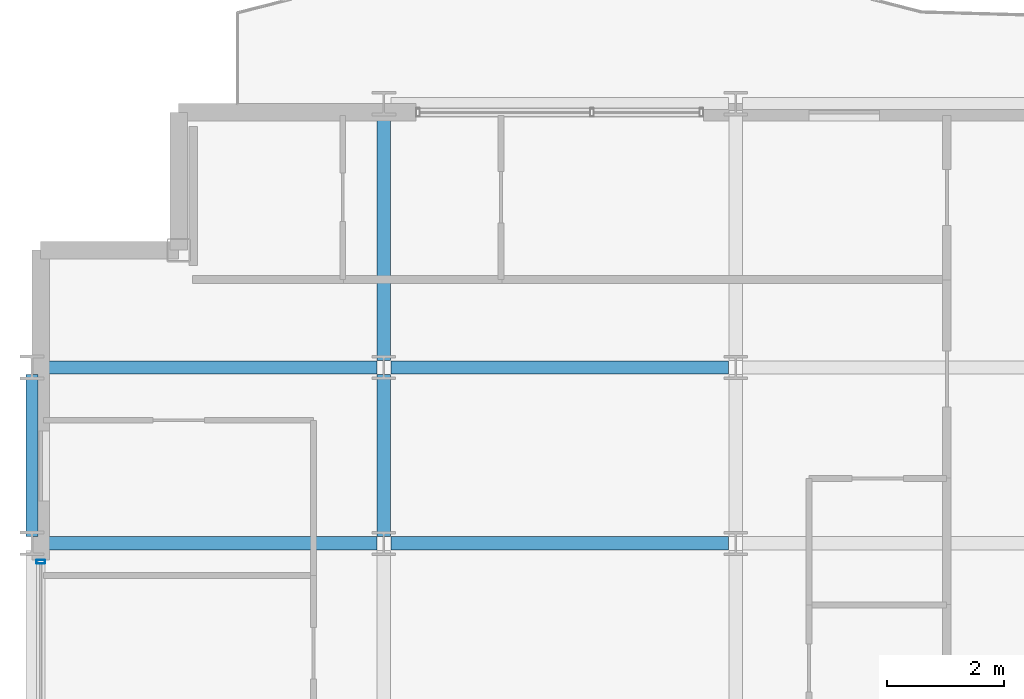
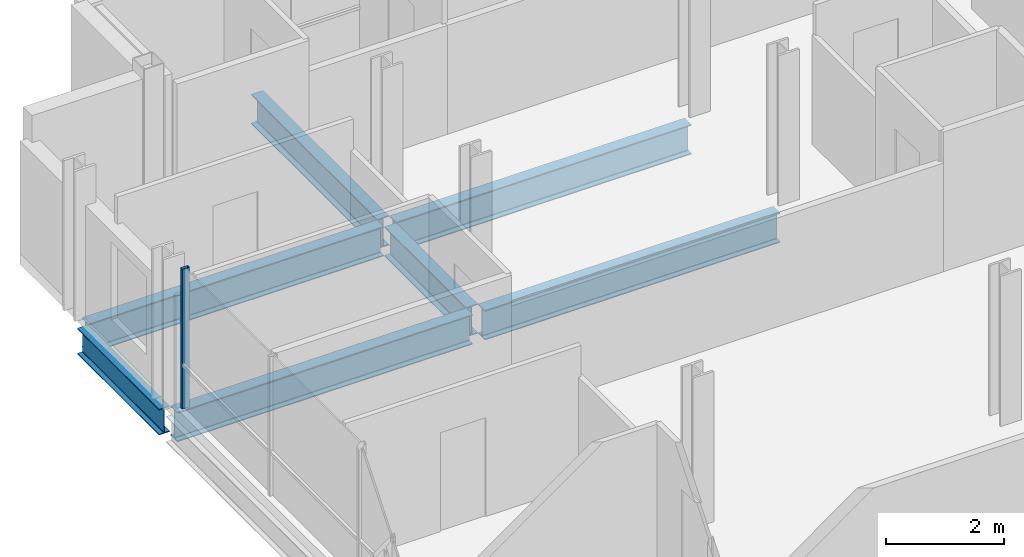
# One storey, part 9 of 41: 7 beams, 1 member, 1 element without a shape of its own.
"""IFC4 building model written with IfcOpenShell, lengths in metres."""

from ifc_helpers import new_model, si_unit, direction, frame, origin, origin_2d, place, context, subcontext, project, spatial, hollow_rectangle, i_section, extrude, material, layer, layer_set, material_profile, profile_set, type_object, element, aggregate, save


model = new_model("IFC4")

# Units and contexts
model_context = context("Model", 3, precision=1e-05, world=origin(), true_north=direction((0.0, 1.0)))
body_context = subcontext(model_context, "Body", "Model", "MODEL_VIEW")
ifc_project = project(units=[si_unit("LENGTHUNIT", "METRE"), si_unit("AREAUNIT", "SQUARE_METRE"), si_unit("VOLUMEUNIT", "CUBIC_METRE"), si_unit("PLANEANGLEUNIT", "RADIAN"), si_unit("MASSUNIT", "GRAM", prefix="KILO")], contexts=[model_context])

# Site, building, storey
site_placement = place(None, origin())
site = spatial("IfcSite", under=ifc_project, at=site_placement, CompositionType="ELEMENT")
building_placement = place(site_placement, origin())
building = spatial("IfcBuilding", under=site, at=building_placement, Name="Brevholm Reach", CompositionType="ELEMENT")
storey_placement = place(building_placement, frame((0.0, 0.0, 144.89990234375)))
storey = spatial("IfcBuildingStorey", under=building, at=storey_placement, Name="L43", CompositionType="ELEMENT", Elevation=144.89990234375)

# Beams
ifc_material_1 = material(Name="Structural Steel S355J2", Category="steel")
ifc_material_profile_1 = material_profile(ifc_material_1, i_section(OverallWidth=0.209228515625, OverallDepth=0.533203125, WebThickness=0.010009765625, FlangeThickness=0.015625, FilletRadius=0.0126953125, at=origin_2d()), Name="UKB 533x210x92")
ifc_profile_set_1 = profile_set([ifc_material_profile_1], Name="Structural Steel S355J2")
beam_type_1 = type_object("IfcBeamType", Name="BM-SP533", PredefinedType="SPANDREL", material=ifc_profile_set_1)
beam_1_placement = place(storey_placement, frame((0.0, 23.6201171875, -0.486572265625), z_axis=(0.0, 1.0, 0.0), x_axis=(-1.0, 0.0, 0.0)))
element("IfcBeam", 1, at=beam_1_placement, inside=storey, type_object=beam_type_1, Name="L43 SP-02 Framing Beam", PredefinedType="SPANDREL", context=body_context, shape_type="SweptSolid", body=[
    extrude(i_section(OverallWidth=0.209228515625, OverallDepth=0.533203125, WebThickness=0.010009765625, FlangeThickness=0.015625, FilletRadius=0.0126953125, at=origin_2d()), origin(), (0.0, 0.0, 1.0), 2.759765625),
])
ifc_material_2 = material(Name="Structural Steel S355J2", Category="steel")
ifc_material_profile_2 = material_profile(ifc_material_2, i_section(OverallWidth=0.22900390625, OverallDepth=0.6123046875, WebThickness=0.011962890625, FlangeThickness=0.01953125, FilletRadius=0.0126953125, at=origin_2d()), Name="UKB 610x229x125")
ifc_profile_set_2 = profile_set([ifc_material_profile_2], Name="Structural Steel S355J2")
beam_type_2 = type_object("IfcBeamType", Name="BM-SP610", PredefinedType="SPANDREL", material=ifc_profile_set_2)
for number, where, z_axis, x_axis, name in (
    (2, (0.1201171875, 23.5, -0.526123046875), (1.0, 0.0, 0.0), (0.0, 1.0, 0.0), "L43 SP-01 Framing Beam"),
    (3, (6.1201171875, 23.5, -0.526123046875), (1.0, 0.0, 0.0), (0.0, 1.0, 0.0), "L43 SP-01 Framing Beam"),
    (4, (0.1201171875, 26.5, -0.526123046875), (1.0, 0.0, 0.0), (0.0, 1.0, 0.0), "L43 SP-01 Framing Beam"),
    (5, (6.1201171875, 26.5, -0.526123046875), (1.0, 0.0, 0.0), (0.0, 1.0, 0.0), "L43 SP-01 Framing Beam"),
):
    element("IfcBeam", number, at=place(storey_placement, frame(where, z_axis=z_axis, x_axis=x_axis)), inside=storey, type_object=beam_type_2, Name=name, PredefinedType="SPANDREL", context=body_context, shape_type="SweptSolid", body=[
        extrude(i_section(OverallWidth=0.22900390625, OverallDepth=0.6123046875, WebThickness=0.011962890625, FlangeThickness=0.01953125, FilletRadius=0.0126953125, at=origin_2d()), origin(), (0.0, 0.0, 1.0), 5.759765625),
    ])
beam_2_placement = place(storey_placement, frame((6.0, 23.6201171875, -0.526123046875), z_axis=(0.0, 1.0, 0.0), x_axis=(-1.0, 0.0, 0.0)))
element("IfcBeam", 6, at=beam_2_placement, inside=storey, type_object=beam_type_2, Name="L43 SP-01 Framing Beam", PredefinedType="SPANDREL", context=body_context, shape_type="SweptSolid", body=[
    extrude(i_section(OverallWidth=0.22900390625, OverallDepth=0.6123046875, WebThickness=0.011962890625, FlangeThickness=0.01953125, FilletRadius=0.0126953125, at=origin_2d()), origin(), (0.0, 0.0, 1.0), 2.759765625),
])
beam_3_placement = place(storey_placement, frame((6.0, 26.6201171875, -0.526123046875), z_axis=(0.0, 1.0, 0.0), x_axis=(-1.0, 0.0, 0.0)))
element("IfcBeam", 7, at=beam_3_placement, inside=storey, type_object=beam_type_2, Name="L43 SP-01 Framing Beam", PredefinedType="SPANDREL", context=body_context, shape_type="SweptSolid", body=[
    extrude(i_section(OverallWidth=0.22900390625, OverallDepth=0.6123046875, WebThickness=0.011962890625, FlangeThickness=0.01953125, FilletRadius=0.0126953125, at=origin_2d()), origin(), (0.0, 0.0, 1.0), 4.259765625),
])

# Curtain wall, member
ifc_material_3 = material(Name="Dark Anodised Aluminium 6063-T6 and Solar-Control Glass", Category="aluminium")
ifc_layer = layer(ifc_material_3, 0.14990234375)
ifc_layer_set = layer_set([ifc_layer], Name="Dark Anodised Aluminium 6063-T6 and Solar-Control Glass")
curtain_wall_type = type_object("IfcCurtainWallType", Name="CW-01", PredefinedType="NOTDEFINED", material=ifc_layer_set)
curtain_wall_placement = place(storey_placement, origin())
curtain_wall = element("IfcCurtainWall", 8, at=curtain_wall_placement, inside=storey, type_object=curtain_wall_type, Name="L43 Curtain Wall CW-01", PredefinedType="NOTDEFINED")
ifc_material_4 = material(Name="Dark Anodised Aluminium 6063-T6", Category="aluminium")
ifc_material_profile_3 = material_profile(ifc_material_4, hollow_rectangle(XDim=0.06494140625, YDim=0.14990234375, WallThickness=0.0048828125, InnerFilletRadius=0.0048828125, OuterFilletRadius=0.010009765625, at=origin_2d()), Name="RHS 150x65x5")
ifc_profile_set_3 = profile_set([ifc_material_profile_3], Name="Dark Anodised Aluminium 6063-T6")
member_type = type_object("IfcMemberType", Name="CWM-150", PredefinedType="MULLION", material=ifc_profile_set_3)
member_placement = place(storey_placement, frame((0.14990234375, 23.1875, 0.0), z_axis=(0.0, 0.0, 1.0), x_axis=(0.0, -1.0, 0.0)))
member = element("IfcMember", 9, at=member_placement, type_object=member_type, Name="CM-150 Mullion 1", PredefinedType="MULLION", context=body_context, shape_type="SweptSolid", body=[
    extrude(hollow_rectangle(XDim=0.06494140625, YDim=0.14990234375, WallThickness=0.0048828125, InnerFilletRadius=0.0048828125, OuterFilletRadius=0.010009765625, at=origin_2d()), origin(), (0.0, 0.0, 1.0), 2.880126953125),
])
aggregate(curtain_wall, [member])

save(model, "model.ifc")
